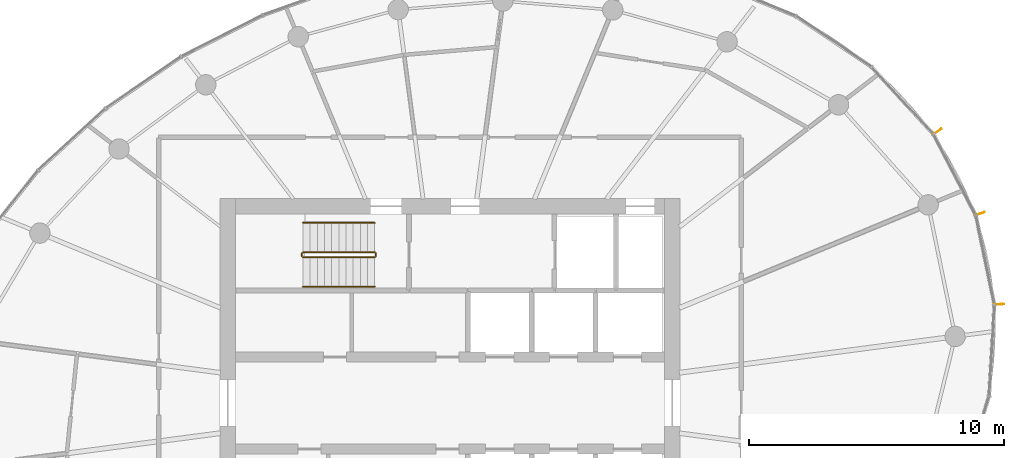
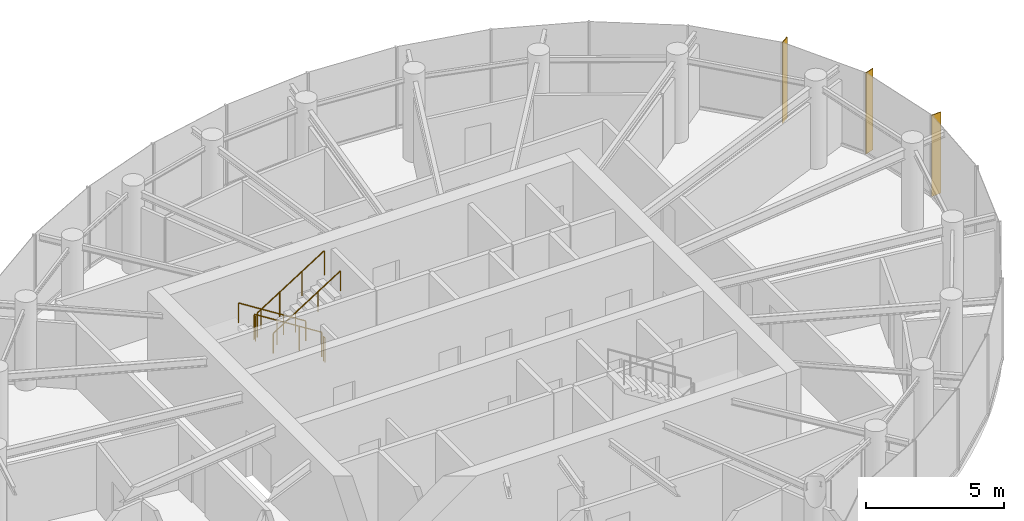
# One storey, part 13 of 13: 6 railings, 3 shading devices.
"""IFC4 building model written with IfcOpenShell, lengths in metres."""

from ifc_helpers import new_model, si_unit, direction, frame, origin, origin_2d, place, context, subcontext, project, spatial, rectangle, circle, extrude, source, transform, mapped, material, material_profile, profile_set, type_object, element, save


model = new_model("IFC4")

# Units and contexts
model_context = context("Model", 3, precision=1e-05, world=origin(), true_north=direction((0.0, 1.0)))
body_context = subcontext(model_context, "Body", "Model", "MODEL_VIEW")
ifc_project = project(units=[si_unit("LENGTHUNIT", "METRE"), si_unit("AREAUNIT", "SQUARE_METRE"), si_unit("VOLUMEUNIT", "CUBIC_METRE"), si_unit("PLANEANGLEUNIT", "RADIAN"), si_unit("MASSUNIT", "GRAM", prefix="KILO")], contexts=[model_context])

# Site, building, storey
site_placement = place(None, origin())
site = spatial("IfcSite", under=ifc_project, at=site_placement, CompositionType="ELEMENT")
building_placement = place(site_placement, origin())
building = spatial("IfcBuilding", under=site, at=building_placement, Name="Spindrift Exchange Tower", CompositionType="ELEMENT")
storey_placement = place(building_placement, frame((0.0, 0.0, 246.199951171875)))
storey = spatial("IfcBuildingStorey", under=building, at=storey_placement, Name="L60", CompositionType="ELEMENT", Elevation=246.199951171875)

# Railings
ifc_material_1 = material(Name="Steel balustrade", Category="steel")
railing_type_1 = type_object("IfcRailingType", Name="RL-STAIR-GUARD", PredefinedType="GUARDRAIL", material=ifc_material_1)
railing_1_placement = place(storey_placement, frame((49.050048828125, 53.89990234375, 0.17724609375)))
element("IfcRailing", 1, at=railing_1_placement, inside=storey, type_object=railing_type_1, Name="L60 ST1 stair guard 1", PredefinedType="GUARDRAIL", context=body_context, shape_type="SweptSolid", body=[
    extrude(circle(Radius=0.02392578125, at=origin_2d()), frame((0.0, 0.0, 1.076171875), z_axis=(-0.844908973607, 0.0, 0.534910110503), x_axis=(0.0, -1.0, 0.0)), (0.0, 0.0, 1.0), 3.31396484375),
    extrude(circle(Radius=0.02099609375, at=origin_2d()), origin(), (0.0, 0.0, 1.0), 1.052001953125),
    extrude(circle(Radius=0.02099609375, at=origin_2d()), frame((-0.933349609375, 0.0, 0.5908203125)), (0.0, 0.0, 1.0), 1.052001953125),
    extrude(circle(Radius=0.02099609375, at=origin_2d()), frame((-1.86669921875, 0.0, 1.181884765625)), (0.0, 0.0, 1.0), 1.052001953125),
    extrude(circle(Radius=0.02099609375, at=origin_2d()), frame((-2.800048828125, 0.0, 1.772705078125)), (0.0, 0.0, 1.0), 1.052001953125),
])
railing_2_placement = place(storey_placement, frame((46.199951171875, 53.85009765625, 1.949951171875)))
element("IfcRailing", 2, at=railing_2_placement, inside=storey, type_object=railing_type_1, Name="L60 ST1 stair guard 2", PredefinedType="GUARDRAIL", context=body_context, shape_type="SweptSolid", body=[
    extrude(circle(Radius=0.02392578125, at=origin_2d()), frame((0.0, 0.0, 1.076171875), z_axis=(0.0, -1.0, 0.0), x_axis=(1.0, 0.0, 0.0)), (0.0, 0.0, 1.0), 0.10009765625),
    extrude(circle(Radius=0.02099609375, at=origin_2d()), origin(), (0.0, 0.0, 1.0), 1.052001953125),
    extrude(circle(Radius=0.02099609375, at=origin_2d()), frame((0.0, -0.10009765625, 0.0)), (0.0, 0.0, 1.0), 1.052001953125),
])
railing_3_placement = place(storey_placement, frame((46.25, 53.699951171875, 2.12744140625)))
element("IfcRailing", 3, at=railing_3_placement, inside=storey, type_object=railing_type_1, Name="L60 ST1 stair guard 3", PredefinedType="GUARDRAIL", context=body_context, shape_type="SweptSolid", body=[
    extrude(circle(Radius=0.02392578125, at=origin_2d()), frame((0.0, 0.0, 1.076171875), z_axis=(0.844908973607, 0.0, 0.534910110503), x_axis=(0.0, 1.0, 0.0)), (0.0, 0.0, 1.0), 3.31396484375),
    extrude(circle(Radius=0.02099609375, at=origin_2d()), origin(), (0.0, 0.0, 1.0), 1.052001953125),
    extrude(circle(Radius=0.02099609375, at=origin_2d()), frame((0.933349609375, 0.0, 0.5908203125)), (0.0, 0.0, 1.0), 1.052001953125),
    extrude(circle(Radius=0.02099609375, at=origin_2d()), frame((1.86669921875, 0.0, 1.181884765625)), (0.0, 0.0, 1.0), 1.052001953125),
    extrude(circle(Radius=0.02099609375, at=origin_2d()), frame((2.800048828125, 0.0, 1.772705078125)), (0.0, 0.0, 1.0), 1.052001953125),
])
railing_4_placement = place(storey_placement, frame((49.10009765625, 53.85009765625, 0.0)))
element("IfcRailing", 4, at=railing_4_placement, inside=storey, type_object=railing_type_1, Name="L60 ST1 stair guard 4", PredefinedType="GUARDRAIL", context=body_context, shape_type="SweptSolid", body=[
    extrude(circle(Radius=0.02392578125, at=origin_2d()), frame((0.0, 0.0, 1.076171875), z_axis=(0.0, -1.0, 0.0), x_axis=(1.0, 0.0, 0.0)), (0.0, 0.0, 1.0), 0.10009765625),
    extrude(circle(Radius=0.02099609375, at=origin_2d()), origin(), (0.0, 0.0, 1.0), 1.052001953125),
    extrude(circle(Radius=0.02099609375, at=origin_2d()), frame((0.0, -0.10009765625, 0.0)), (0.0, 0.0, 1.0), 1.052001953125),
])
ifc_material_2 = material(Name="Steel tubular handrail", Category="steel")
railing_type_2 = type_object("IfcRailingType", Name="RL-STAIR-HAND", PredefinedType="HANDRAIL", material=ifc_material_2)
railing_5_placement = place(storey_placement, frame((49.050048828125, 55.050048828125, 0.17724609375)))
element("IfcRailing", 5, at=railing_5_placement, inside=storey, type_object=railing_type_2, Name="L60 ST1 stair handrail 1", PredefinedType="HANDRAIL", context=body_context, shape_type="SweptSolid", body=[
    extrude(circle(Radius=0.02392578125, at=origin_2d()), frame((0.0, 0.0, 0.8759765625), z_axis=(-0.844908973607, 0.0, 0.534910110503), x_axis=(0.0, -1.0, 0.0)), (0.0, 0.0, 1.0), 3.31396484375),
    extrude(circle(Radius=0.02099609375, at=origin_2d()), origin(), (0.0, 0.0, 1.0), 0.851806640625),
    extrude(circle(Radius=0.02099609375, at=origin_2d()), frame((-0.933349609375, 0.0, 0.5908203125)), (0.0, 0.0, 1.0), 0.851806640625),
    extrude(circle(Radius=0.02099609375, at=origin_2d()), frame((-1.86669921875, 0.0, 1.181884765625)), (0.0, 0.0, 1.0), 0.851806640625),
    extrude(circle(Radius=0.02099609375, at=origin_2d()), frame((-2.800048828125, 0.0, 1.772705078125)), (0.0, 0.0, 1.0), 0.851806640625),
])
railing_6_placement = place(storey_placement, frame((46.25, 52.550048828125, 2.12744140625)))
element("IfcRailing", 6, at=railing_6_placement, inside=storey, type_object=railing_type_2, Name="L60 ST1 stair handrail 2", PredefinedType="HANDRAIL", context=body_context, shape_type="SweptSolid", body=[
    extrude(circle(Radius=0.02392578125, at=origin_2d()), frame((0.0, 0.0, 0.8759765625), z_axis=(0.844908973607, 0.0, 0.534910110503), x_axis=(0.0, 1.0, 0.0)), (0.0, 0.0, 1.0), 3.31396484375),
    extrude(circle(Radius=0.02099609375, at=origin_2d()), origin(), (0.0, 0.0, 1.0), 0.851806640625),
    extrude(circle(Radius=0.02099609375, at=origin_2d()), frame((0.933349609375, 0.0, 0.5908203125)), (0.0, 0.0, 1.0), 0.851806640625),
    extrude(circle(Radius=0.02099609375, at=origin_2d()), frame((1.86669921875, 0.0, 1.181884765625)), (0.0, 0.0, 1.0), 0.851806640625),
    extrude(circle(Radius=0.02099609375, at=origin_2d()), frame((2.800048828125, 0.0, 1.772705078125)), (0.0, 0.0, 1.0), 0.851806640625),
])

# Shading devices
ifc_material_3 = material(Name="Bronze anodised aluminium", Category="aluminium")
ifc_material_profile = material_profile(ifc_material_3, rectangle(XDim=0.030029296875, YDim=0.39990234375, at=origin_2d()), Name="WIND FIN 30X400")
ifc_profile_set = profile_set([ifc_material_profile], Name="Bronze anodised aluminium")
shading_device_type = type_object("IfcShadingDeviceType", Name="WIND FIN 30X400", PredefinedType="USERDEFINED", material=ifc_profile_set)
shared_shape = source(origin(), body_context, "Body", "SweptSolid", [
    extrude(rectangle(XDim=0.030029296875, YDim=0.39990234375, at=origin_2d()), origin(), (0.0, 0.0, 1.0), 3.580078125),
])
for number, where, z_axis, x_axis, name in (
    (7, (72.747802734375, 55.40478515625, 0.0), (0.0, 0.0, 1.0), (-0.336132181099, 0.94181482088, 0.0), "L60 wind fin 4"),
    (8, (71.0732421875, 58.617919921875, 0.0), (0.0, 0.0, 1.0), (-0.574782471994, 0.818306244562, 0.0), "L60 wind fin 5"),
    (9, (73.48583984375, 51.857666015625, 0.0), (0.0, 0.0, 1.0), (-0.073213828116, 0.997316266473, 0.0), "L60 wind fin 6"),
):
    element("IfcShadingDevice", number, at=place(storey_placement, frame(where, z_axis=z_axis, x_axis=x_axis)), inside=storey, type_object=shading_device_type, Name=name, ObjectType="FIN", PredefinedType="USERDEFINED", context=body_context, shape_type="MappedRepresentation", body=[
        mapped(shared_shape, transform((0.0, 0.0, 0.0), scale=1.0)),
    ])

save(model, "model.ifc")
